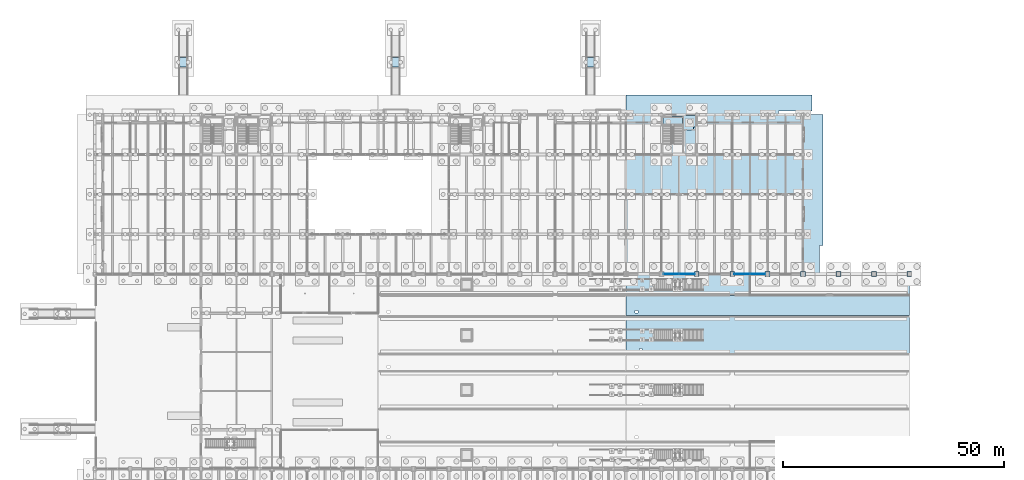
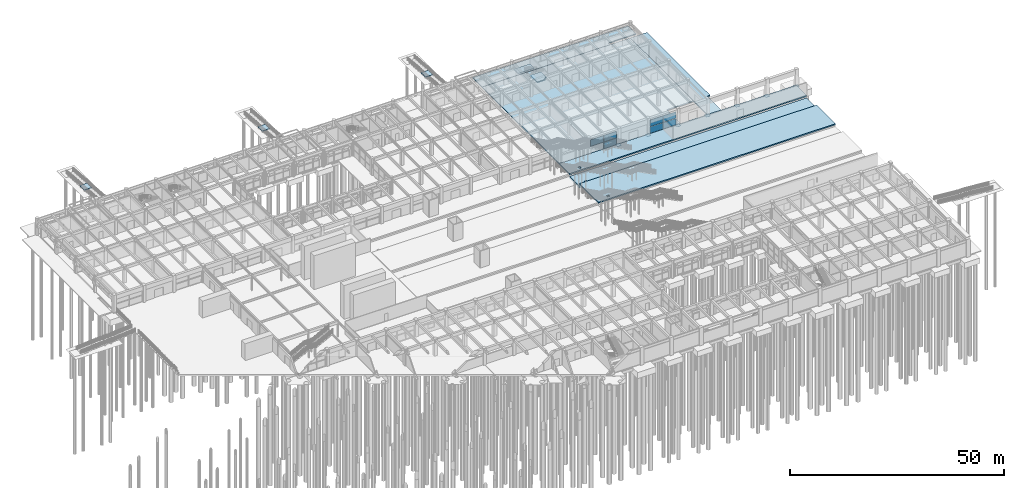
# One storey, part 96 of 147: 14 plates, 11 slabs, 6 elements without a shape of their own.
"""IFC4 building model written with IfcOpenShell, lengths in metres."""

from ifc_helpers import new_model, si_unit, direction, frame, origin, origin_2d, place, context, subcontext, project, spatial, polyline, rectangle, outline, extrude, material, layer, layer_set, type_object, element, aggregate, save


model = new_model("IFC4")

# Units and contexts
model_context = context("Model", 3, precision=1e-05, world=origin(), true_north=direction((0.0, 1.0)))
body_context = subcontext(model_context, "Body", "Model", "MODEL_VIEW")
ifc_project = project(units=[si_unit("LENGTHUNIT", "METRE"), si_unit("AREAUNIT", "SQUARE_METRE"), si_unit("VOLUMEUNIT", "CUBIC_METRE"), si_unit("PLANEANGLEUNIT", "RADIAN"), si_unit("MASSUNIT", "GRAM", prefix="KILO")], contexts=[model_context])

# Site, building, storey
site_placement = place(None, origin())
site = spatial("IfcSite", under=ifc_project, at=site_placement, CompositionType="ELEMENT")
building_placement = place(site_placement, origin())
building = spatial("IfcBuilding", under=site, at=building_placement, Name="Varnabhumi Central Station", CompositionType="ELEMENT")
storey_placement = place(building_placement, origin())
storey = spatial("IfcBuildingStorey", under=building, at=storey_placement, Name="L00", CompositionType="ELEMENT", Elevation=0.0)

# Curtain wall, plates
ifc_material_1 = material(Name="Anodised aluminium 6063-T6", Category="aluminium")
curtain_wall_type = type_object("IfcCurtainWallType", Name="CW-SPINE-SCREEN-L0", PredefinedType="NOTDEFINED", material=ifc_material_1)
curtain_wall_1_placement = place(storey_placement, origin())
curtain_wall_1 = element("IfcCurtainWall", 1, at=curtain_wall_1_placement, inside=storey, type_object=curtain_wall_type, Name="Curtain Wall CW-NS016", PredefinedType="NOTDEFINED")
ifc_material_2 = material(Name="Laminated low-E double glazing", Category="glass")
ifc_layer_1 = layer(ifc_material_2, 0.035888671875, Name="Laminated low-E double glazing", Category="glass")
ifc_layer_set_1 = layer_set([ifc_layer_1], Name="Laminated low-E double glazing")
plate_type_1 = type_object("IfcPlateType", Name="CW-PNL-GLZ-5", PredefinedType="CURTAIN_PANEL", material=ifc_layer_set_1)
plate_1_placement = place(storey_placement, frame((130.22509765625, 80.0, 1.9599609375), z_axis=(0.0, 0.0, 1.0), x_axis=(1.0, 0.0, 0.0)))
plate_1 = element("IfcPlate", 2, at=plate_1_placement, type_object=plate_type_1, Name="Glazed Panel CW-NS016-P12", PredefinedType="CURTAIN_PANEL", context=body_context, shape_type="SweptSolid", body=[
    extrude(rectangle(XDim=3.469970703125, YDim=0.035888671875, at=origin_2d()), origin(), (0.0, 0.0, 1.0), 1.840087890625),
])
plate_2_placement = place(storey_placement, frame((133.77490234375, 80.0, 0.0400390625), z_axis=(0.0, 0.0, 1.0), x_axis=(1.0, 0.0, 0.0)))
plate_2 = element("IfcPlate", 3, at=plate_2_placement, type_object=plate_type_1, Name="Glazed Panel CW-NS016-P21", PredefinedType="CURTAIN_PANEL", context=body_context, shape_type="SweptSolid", body=[
    extrude(rectangle(XDim=3.469970703125, YDim=0.035888671875, at=origin_2d()), origin(), (0.0, 0.0, 1.0), 1.840087890625),
])
plate_3_placement = place(storey_placement, frame((133.77490234375, 80.0, 1.9599609375), z_axis=(0.0, 0.0, 1.0), x_axis=(1.0, 0.0, 0.0)))
plate_3 = element("IfcPlate", 4, at=plate_3_placement, type_object=plate_type_1, Name="Glazed Panel CW-NS016-P22", PredefinedType="CURTAIN_PANEL", context=body_context, shape_type="SweptSolid", body=[
    extrude(rectangle(XDim=3.469970703125, YDim=0.035888671875, at=origin_2d()), origin(), (0.0, 0.0, 1.0), 1.840087890625),
])
aggregate(curtain_wall_1, [plate_1, plate_2, plate_3])

curtain_wall_2_placement = place(storey_placement, origin())
curtain_wall_2 = element("IfcCurtainWall", 5, at=curtain_wall_2_placement, inside=storey, type_object=curtain_wall_type, Name="Curtain Wall CW-NS018", PredefinedType="NOTDEFINED")
plate_4_placement = place(storey_placement, frame((146.22509765625, 80.0, 0.0400390625), z_axis=(0.0, 0.0, 1.0), x_axis=(1.0, 0.0, 0.0)))
plate_4 = element("IfcPlate", 6, at=plate_4_placement, type_object=plate_type_1, Name="Glazed Panel CW-NS018-P11", PredefinedType="CURTAIN_PANEL", context=body_context, shape_type="SweptSolid", body=[
    extrude(rectangle(XDim=3.469970703125, YDim=0.035888671875, at=origin_2d()), origin(), (0.0, 0.0, 1.0), 1.840087890625),
])
plate_5_placement = place(storey_placement, frame((146.22509765625, 80.0, 1.9599609375), z_axis=(0.0, 0.0, 1.0), x_axis=(1.0, 0.0, 0.0)))
plate_5 = element("IfcPlate", 7, at=plate_5_placement, type_object=plate_type_1, Name="Glazed Panel CW-NS018-P12", PredefinedType="CURTAIN_PANEL", context=body_context, shape_type="SweptSolid", body=[
    extrude(rectangle(XDim=3.469970703125, YDim=0.035888671875, at=origin_2d()), origin(), (0.0, 0.0, 1.0), 1.840087890625),
])
plate_6_placement = place(storey_placement, frame((149.77490234375, 80.0, 0.0400390625), z_axis=(0.0, 0.0, 1.0), x_axis=(1.0, 0.0, 0.0)))
plate_6 = element("IfcPlate", 8, at=plate_6_placement, type_object=plate_type_1, Name="Glazed Panel CW-NS018-P21", PredefinedType="CURTAIN_PANEL", context=body_context, shape_type="SweptSolid", body=[
    extrude(rectangle(XDim=3.469970703125, YDim=0.035888671875, at=origin_2d()), origin(), (0.0, 0.0, 1.0), 1.840087890625),
])
plate_7_placement = place(storey_placement, frame((149.77490234375, 80.0, 1.9599609375), z_axis=(0.0, 0.0, 1.0), x_axis=(1.0, 0.0, 0.0)))
plate_7 = element("IfcPlate", 9, at=plate_7_placement, type_object=plate_type_1, Name="Glazed Panel CW-NS018-P22", PredefinedType="CURTAIN_PANEL", context=body_context, shape_type="SweptSolid", body=[
    extrude(rectangle(XDim=3.469970703125, YDim=0.035888671875, at=origin_2d()), origin(), (0.0, 0.0, 1.0), 1.840087890625),
])
aggregate(curtain_wall_2, [plate_4, plate_5, plate_6, plate_7])

# Plates
ifc_material_3 = material(Name="Structural steel E350", Category="steel")
ifc_layer_2 = layer(ifc_material_3, 0.050048828125, Name="Structural steel E350", Category="steel")
ifc_layer_set_2 = layer_set([ifc_layer_2], Name="Structural steel E350")
plate_type_2 = type_object("IfcPlateType", Name="PLT-BASE-1100", PredefinedType="USERDEFINED", material=ifc_layer_set_2)
for number, where, z_axis, x_axis, name in (
    (10, (136.0, 80.0, -0.2998046875), (0.0, 0.0, 1.0), (1.0, 0.0, 0.0), "Spine Anchor Base Plate 18-K"),
    (11, (144.0, 80.0, -0.2998046875), (0.0, 0.0, 1.0), (1.0, 0.0, 0.0), "Spine Anchor Base Plate 19-K"),
    (12, (152.0, 80.0, -0.2998046875), (0.0, 0.0, 1.0), (1.0, 0.0, 0.0), "Spine Anchor Base Plate 20-K"),
    (13, (160.0, 80.0, -0.2998046875), (0.0, 0.0, 1.0), (1.0, 0.0, 0.0), "Spine Anchor Base Plate 21-K"),
    (14, (168.0, 80.0, -0.2998046875), (0.0, 0.0, 1.0), (1.0, 0.0, 0.0), "Spine Anchor Base Plate 22-K"),
    (15, (176.0, 80.0, -0.2998046875), (0.0, 0.0, 1.0), (1.0, 0.0, 0.0), "Spine Anchor Base Plate 23-K"),
    (16, (184.0, 80.0, -0.2998046875), (0.0, 0.0, 1.0), (1.0, 0.0, 0.0), "Spine Anchor Base Plate 24-K"),
):
    element("IfcPlate", number, at=place(storey_placement, frame(where, z_axis=z_axis, x_axis=x_axis)), inside=storey, type_object=plate_type_2, Name=name, ObjectType="BASE PLATE", PredefinedType="USERDEFINED", context=body_context, shape_type="SweptSolid", body=[
        extrude(rectangle(XDim=1.10009765625, YDim=1.10009765625, at=origin_2d()), origin(), (0.0, 0.0, 1.0), 0.050048828125),
    ])

# Slabs
ifc_material_4 = material(Name="Precast concrete M45", Category="concrete")
ifc_layer_3 = layer(ifc_material_4, 0.35009765625, Name="Precast concrete M45", Category="concrete")
ifc_layer_set_3 = layer_set([ifc_layer_3], Name="Precast concrete M45")
slab_type_1 = type_object("IfcSlabType", Name="SLB-PLATFORM-350", PredefinedType="FLOOR", material=ifc_layer_set_3)
slab_1_placement = place(storey_placement, frame((0.0, 0.0, -0.35009765625)))
element("IfcSlab", 17, at=slab_1_placement, inside=storey, type_object=slab_type_1, Name="Platform 3 Deck Slab Seg 2", PredefinedType="FLOOR", context=body_context, shape_type="SweptSolid", body=[
    extrude(outline(polyline([(120.06005859375, 61.800048828125), (184.0, 61.800048828125), (184.0, 70.60009765625), (120.06005859375, 70.60009765625), (120.06005859375, 61.800048828125)]), holes=[polyline([(123.06005859375, 62.60009765625), (123.659912109375, 62.60009765625), (123.659912109375, 63.199951171875), (123.06005859375, 63.199951171875), (123.06005859375, 62.60009765625)])]), origin(), (0.0, 0.0, 1.0), 0.35009765625),
])
slab_2_placement = place(storey_placement, frame((0.0, 0.0, -0.35009765625)))
element("IfcSlab", 18, at=slab_2_placement, inside=storey, type_object=slab_type_1, Name="Platform 4 Deck Slab Seg 2", PredefinedType="FLOOR", context=body_context, shape_type="SweptSolid", body=[
    extrude(outline(polyline([(120.06005859375, 75.199951171875), (184.0, 75.199951171875), (184.0, 80.0), (120.06005859375, 80.0), (120.06005859375, 75.199951171875)]), holes=[polyline([(123.06005859375, 76.0), (123.659912109375, 76.0), (123.659912109375, 76.60009765625), (123.06005859375, 76.60009765625), (123.06005859375, 76.0)])]), origin(), (0.0, 0.0, 1.0), 0.35009765625),
])
ifc_material_5 = material(Name="Concrete M35", Category="concrete")
ifc_layer_4 = layer(ifc_material_5, 0.300048828125, Name="Concrete M35", Category="concrete")
ifc_layer_set_4 = layer_set([ifc_layer_4], Name="Concrete M35")
slab_type_2 = type_object("IfcSlabType", Name="SLB-PLINTH-300", PredefinedType="BASESLAB", material=ifc_layer_set_4)
slab_3_placement = place(storey_placement, frame((0.0, 0.0, -0.300048828125)))
element("IfcSlab", 19, at=slab_3_placement, inside=storey, type_object=slab_type_2, Name="North Wing L00 Floor Slab Zone 5", PredefinedType="BASESLAB", context=body_context, shape_type="SweptSolid", body=[
    extrude(outline(polyline([(120.06005859375, 80.0), (152.81103515625, 80.0), (152.81103515625, 86.47998046875), (160.0, 86.47998046875), (160.0, 116.0), (120.06005859375, 116.0), (120.06005859375, 80.0)])), origin(), (0.0, 0.0, 1.0), 0.300048828125),
])
slab_4_placement = place(storey_placement, frame((0.0, 0.0, -0.300048828125)))
element("IfcSlab", 20, at=slab_4_placement, inside=storey, type_object=slab_type_2, Name="Exterior Plinth Walkway north_blvd_w", PredefinedType="BASESLAB", context=body_context, shape_type="SweptSolid", body=[
    extrude(outline(polyline([(120.06005859375, 116.0), (154.450927734375, 116.0), (154.450927734375, 116.81005859375), (162.0, 116.81005859375), (162.0, 120.5), (120.06005859375, 120.5), (120.06005859375, 116.0)])), origin(), (0.0, 0.0, 1.0), 0.300048828125),
])
slab_5_placement = place(storey_placement, frame((0.0, 0.0, -0.300048828125)))
element("IfcSlab", 21, at=slab_5_placement, inside=storey, type_object=slab_type_2, Name="Exterior Plinth Walkway nw_apron", PredefinedType="BASESLAB", context=body_context, shape_type="SweptSolid", body=[
    extrude(outline(polyline([(160.0, 80.0), (163.68994140625, 80.0), (163.68994140625, 86.47998046875), (164.5, 86.47998046875), (164.5, 116.0), (160.0, 116.0), (160.0, 80.0)])), origin(), (0.0, 0.0, 1.0), 0.300048828125),
])
slab_6_placement = place(storey_placement, frame((0.0, 0.0, -1.35009765625)))
element("IfcSlab", 22, at=slab_6_placement, inside=storey, type_object=slab_type_2, Name="Lift Pit Base PL-6", PredefinedType="BASESLAB", context=body_context, shape_type="SweptSolid", body=[
    extrude(outline(polyline([(132.949951171875, 112.60009765625), (135.199951171875, 112.60009765625), (135.199951171875, 113.199951171875), (135.800048828125, 113.199951171875), (135.800048828125, 115.800048828125), (132.949951171875, 115.800048828125), (132.949951171875, 112.60009765625)])), origin(), (0.0, 0.0, 1.0), 0.300048828125),
])

# Ramp, slab
ifc_material_6 = material(Name="Concrete M40", Category="concrete")
ramp_type = type_object("IfcRampType", Name="RAMP-PLINTH-1800", PredefinedType="TWO_STRAIGHT_RUN_RAMP", material=ifc_material_6)
ramp_1_placement = place(storey_placement, origin())
ramp_1 = element("IfcRamp", 23, at=ramp_1_placement, inside=storey, type_object=ramp_type, Name="Accessible Plinth Ramp RMP-NB-E", PredefinedType="TWO_STRAIGHT_RUN_RAMP")
ifc_layer_5 = layer(ifc_material_6, 0.219970703125, Name="Concrete M40", Category="concrete")
ifc_layer_set_5 = layer_set([ifc_layer_5], Name="Concrete M40")
slab_type_3 = type_object("IfcSlabType", Name="SLB-RAMP-LANDING", PredefinedType="LANDING", material=ifc_layer_set_5)
slab_7_placement = place(storey_placement, frame((0.0, 0.0, -0.7451171875)))
slab_7 = element("IfcSlab", 24, at=slab_7_placement, type_object=slab_type_3, Name="RMP-NB-E Intermediate Landing", PredefinedType="LANDING", context=body_context, shape_type="SweptSolid", body=[
    extrude(outline(polyline([(19.0, 128.89990234375), (19.0, 126.800048828125), (21.0, 126.800048828125), (21.0, 128.89990234375), (19.0, 128.89990234375)])), origin(), (0.0, 0.0, 1.0), 0.22021484375),
])
aggregate(ramp_1, [slab_7])

ramp_2_placement = place(storey_placement, origin())
ramp_2 = element("IfcRamp", 25, at=ramp_2_placement, inside=storey, type_object=ramp_type, Name="Accessible Plinth Ramp RMP-NB-M", PredefinedType="TWO_STRAIGHT_RUN_RAMP")
slab_8_placement = place(storey_placement, frame((0.0, 0.0, -0.7451171875)))
slab_8 = element("IfcSlab", 26, at=slab_8_placement, type_object=slab_type_3, Name="RMP-NB-M Intermediate Landing", PredefinedType="LANDING", context=body_context, shape_type="SweptSolid", body=[
    extrude(outline(polyline([(67.0, 128.89990234375), (67.0, 126.800048828125), (69.0, 126.800048828125), (69.0, 128.89990234375), (67.0, 128.89990234375)])), origin(), (0.0, 0.0, 1.0), 0.22021484375),
])
aggregate(ramp_2, [slab_8])

ramp_3_placement = place(storey_placement, origin())
ramp_3 = element("IfcRamp", 27, at=ramp_3_placement, inside=storey, type_object=ramp_type, Name="Accessible Plinth Ramp RMP-NB-W", PredefinedType="TWO_STRAIGHT_RUN_RAMP")
slab_9_placement = place(storey_placement, frame((0.0, 0.0, -0.7451171875)))
slab_9 = element("IfcSlab", 28, at=slab_9_placement, type_object=slab_type_3, Name="RMP-NB-W Intermediate Landing", PredefinedType="LANDING", context=body_context, shape_type="SweptSolid", body=[
    extrude(outline(polyline([(111.0, 128.89990234375), (111.0, 126.800048828125), (113.0, 126.800048828125), (113.0, 128.89990234375), (111.0, 128.89990234375)])), origin(), (0.0, 0.0, 1.0), 0.22021484375),
])
aggregate(ramp_3, [slab_9])

# Stair, slab
stair_type = type_object("IfcStairType", Name="STR-CORE-4800", PredefinedType="DOUBLE_RETURN_STAIR", material=ifc_material_6)
stair_placement = place(storey_placement, origin())
stair = element("IfcStair", 29, at=stair_placement, inside=storey, type_object=stair_type, Name="Core Stair ST-N3 (L00)", PredefinedType="DOUBLE_RETURN_STAIR")
ifc_layer_6 = layer(ifc_material_6, 0.179931640625, Name="Concrete M40", Category="concrete")
ifc_layer_set_6 = layer_set([ifc_layer_6], Name="Concrete M40")
slab_type_4 = type_object("IfcSlabType", Name="SLB-STAIR-LAND", PredefinedType="LANDING", material=ifc_layer_set_6)
slab_10_placement = place(storey_placement, frame((0.0, 0.0, 2.219970703125)))
slab_10 = element("IfcSlab", 30, at=slab_10_placement, type_object=slab_type_4, Name="ST-N3 L00 Half Landing", PredefinedType="LANDING", context=body_context, shape_type="SweptSolid", body=[
    extrude(outline(polyline([(128.340087890625, 113.614990234375), (132.760009765625, 113.614990234375), (132.760009765625, 115.639892578125), (128.340087890625, 115.639892578125), (128.340087890625, 113.614990234375)])), origin(), (0.0, 0.0, 1.0), 0.179931640625),
])
aggregate(stair, [slab_10])

# Slab
ifc_layer_7 = layer(ifc_material_5, 0.5, Name="Concrete M35", Category="concrete")
ifc_layer_set_7 = layer_set([ifc_layer_7], Name="Concrete M35")
slab_type_5 = type_object("IfcSlabType", Name="SLB-TRACK-500", PredefinedType="BASESLAB", material=ifc_layer_set_7)
slab_11_placement = place(storey_placement, frame((0.0, 0.0, -1.2548828125)))
element("IfcSlab", 31, at=slab_11_placement, inside=storey, type_object=slab_type_5, Name="Broad-Gauge Track-Bed Slab TRK-45-2", PredefinedType="BASESLAB", context=body_context, shape_type="SweptSolid", body=[
    extrude(outline(polyline([(120.06005859375, 70.60009765625), (184.0, 70.60009765625), (184.0, 75.199951171875), (120.06005859375, 75.199951171875), (120.06005859375, 70.60009765625)]), holes=[polyline([(122.06005859375, 71.199951171875), (122.659912109375, 71.199951171875), (122.659912109375, 71.800048828125), (122.06005859375, 71.800048828125), (122.06005859375, 71.199951171875)])]), origin(), (0.0, 0.0, 1.0), 0.5),
])

save(model, "model.ifc")
